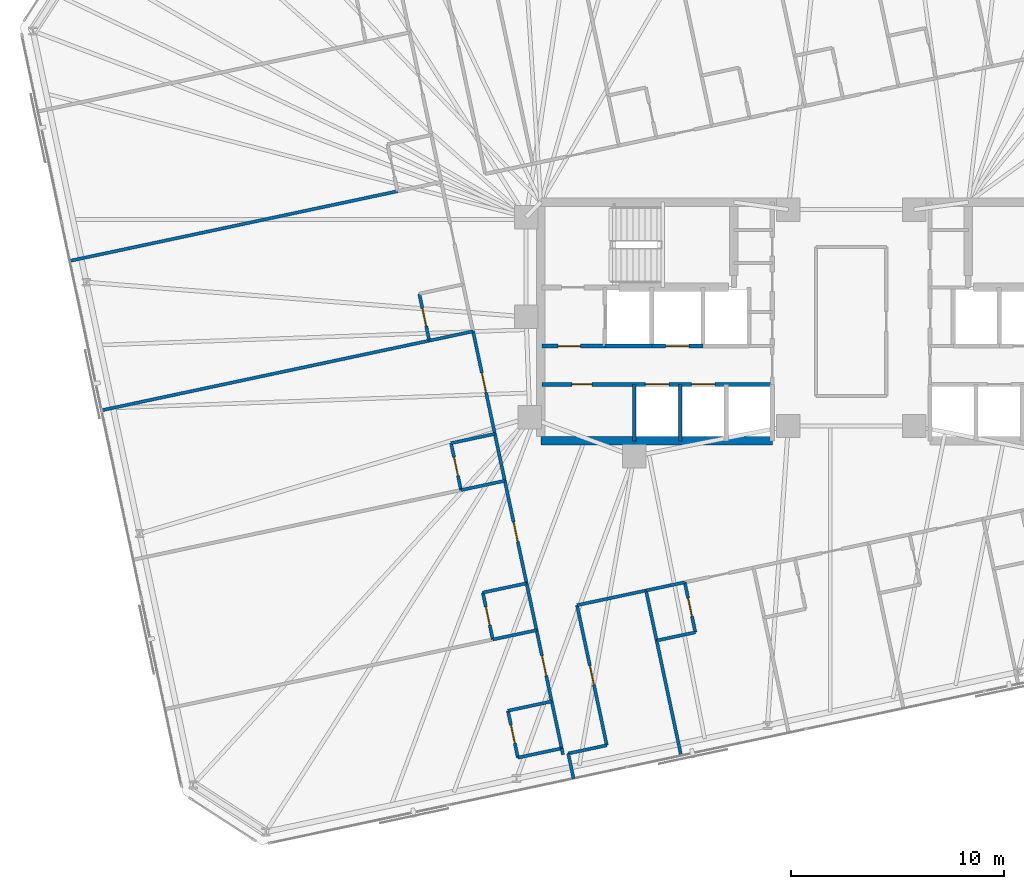
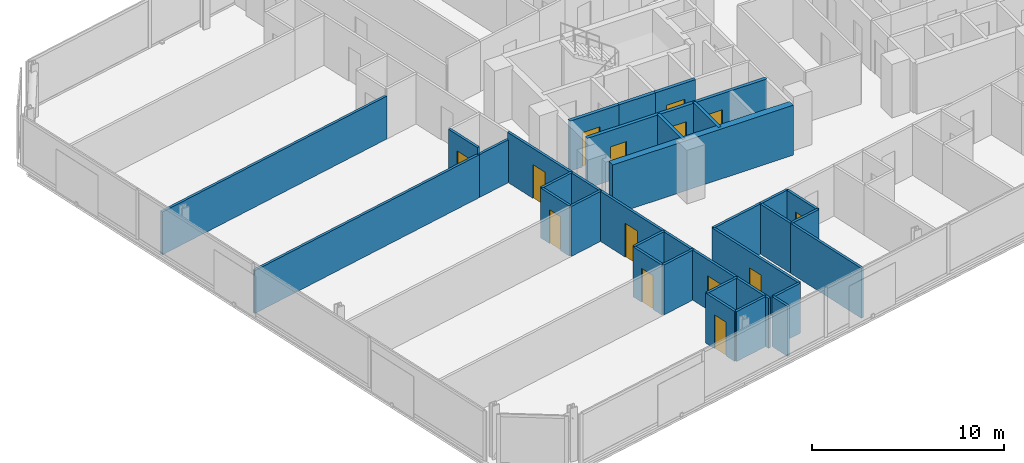
# One storey, part 14 of 21: 36 walls, 14 doors, 14 openings.
"""IFC4 building model written with IfcOpenShell, lengths in metres."""

from ifc_helpers import new_model, si_unit, direction, frame, frame_2d, origin, place, context, subcontext, project, spatial, rectangle, extrude, material, layer, layer_set, type_object, element, fill, save


model = new_model("IFC4")

# Units and contexts
model_context = context("Model", 3, precision=1e-05, world=origin(), true_north=direction((0.0, 1.0)))
body_context = subcontext(model_context, "Body", "Model", "MODEL_VIEW")
ifc_project = project(units=[si_unit("LENGTHUNIT", "METRE"), si_unit("AREAUNIT", "SQUARE_METRE"), si_unit("VOLUMEUNIT", "CUBIC_METRE"), si_unit("PLANEANGLEUNIT", "RADIAN"), si_unit("MASSUNIT", "GRAM", prefix="KILO")], contexts=[model_context])

# Site, building, storey
site_placement = place(None, origin())
site = spatial("IfcSite", under=ifc_project, at=site_placement, CompositionType="ELEMENT")
building_placement = place(site_placement, origin())
building = spatial("IfcBuilding", under=site, at=building_placement, Name="Menara Jurai Vektor", CompositionType="ELEMENT")
storey_placement = place(building_placement, frame((0.0, 0.0, 165.0)))
storey = spatial("IfcBuildingStorey", under=building, at=storey_placement, Name="L42", CompositionType="ELEMENT", Elevation=165.0)

# Wall, opening, door
ifc_material_1 = material(Name="Concrete C40/50", Category="concrete")
ifc_layer_1 = layer(ifc_material_1, 0.25)
ifc_layer_set_1 = layer_set([ifc_layer_1], Name="Concrete C40/50")
wall_type_1 = type_object("IfcWallType", Name="INT-WALL-CORE-250", PredefinedType="STANDARD", material=ifc_layer_set_1)
wall_1_placement = place(storey_placement, frame((-14.5, -1.14990234375, 0.0), z_axis=(0.0, 0.0, 1.0), x_axis=(1.0, 0.0, 0.0)))
wall_1 = element("IfcWall", 1, at=wall_1_placement, inside=storey, type_object=wall_type_1, Name="Interior Wall IW-250 L42", PredefinedType="STANDARD", context=body_context, shape_type="SweptSolid", body=[
    extrude(rectangle(XDim=2.949951171875, YDim=0.199951171875, at=frame_2d((1.47509765625, 0.0))), origin(), (0.0, 0.0, 1.0), 3.175048828125),
])
opening_1_placement = place(wall_1_placement, frame((0.75, 0.0, 0.0)))
opening_1 = element("IfcOpeningElement", 2, at=opening_1_placement, cuts=wall_1, Name="Opening D-L42-FFW", PredefinedType="OPENING", context=body_context, shape_type="SweptSolid", body=[
    extrude(rectangle(XDim=1.050048828125, YDim=2.179931640625, at=frame_2d((0.52490234375, 1.08984375))), frame((0.0, 0.10986328125, 0.0), z_axis=(0.0, -1.0, 0.0), x_axis=(1.0, 0.0, 0.0)), (0.0, 0.0, 1.0), 0.219970703125),
])
ifc_material_2 = material(Name="Fire-Rated Timber Door", Category="wood")
door_type_1 = type_object("IfcDoorType", Name="DR-LOBBY-1050", OperationType="NOTDEFINED", PredefinedType="DOOR", material=ifc_material_2)
door_1_placement = place(opening_1_placement, origin())
door_1 = element("IfcDoor", 3, at=door_1_placement, inside=storey, type_object=door_type_1, Name="Fire Lift Lobby Door W L42", OperationType="SINGLE_SWING_RIGHT", OverallHeight=2.179931640625, OverallWidth=1.050048828125, PredefinedType="DOOR", context=body_context, shape_type="SweptSolid", body=[
    extrude(rectangle(XDim=1.050048828125, YDim=2.179931640625, at=frame_2d((0.52490234375, 1.08984375))), frame((0.0, 0.02490234375, 0.0), z_axis=(0.0, -1.0, 0.0), x_axis=(1.0, 0.0, 0.0)), (0.0, 0.0, 1.0), 0.050048828125),
])
fill(opening_1, door_1)

# Walls
wall_2_placement = place(storey_placement, frame((-11.550048828125, -1.14990234375, 0.0), z_axis=(0.0, 0.0, 1.0), x_axis=(1.0, 0.0, 0.0)))
element("IfcWall", 4, at=wall_2_placement, inside=storey, type_object=wall_type_1, Name="Interior Wall IW-250 L42", PredefinedType="STANDARD", context=body_context, shape_type="SweptSolid", body=[
    extrude(rectangle(XDim=2.199951171875, YDim=0.199951171875, at=frame_2d((1.10009765625, 0.0))), origin(), (0.0, 0.0, 1.0), 3.175048828125),
])
ifc_material_3 = material(Name="Gypsum Fireboard Partition", Category="gypsum")
ifc_layer_2 = layer(ifc_material_3, 0.14990234375)
ifc_layer_set_2 = layer_set([ifc_layer_2], Name="Gypsum Fireboard Partition")
wall_type_2 = type_object("IfcWallType", Name="INT-WALL-CORR-150", PredefinedType="PARTITIONING", material=ifc_layer_set_2)
wall_3_placement = place(storey_placement, frame((-13.274169921875, -20.264892578125, 0.0), z_axis=(0.0, 0.0, 1.0), x_axis=(0.978160192495, 0.207852442415, 0.0)))
element("IfcWall", 5, at=wall_3_placement, inside=storey, type_object=wall_type_2, Name="Interior Wall IW-150 L42", PredefinedType="PARTITIONING", context=body_context, shape_type="SweptSolid", body=[
    extrude(rectangle(XDim=1.849853515625, YDim=0.14990234375, at=frame_2d((0.9248046875, 0.0))), origin(), (0.0, 0.0, 1.0), 3.175048828125),
])

# Wall, opening, door
wall_4_placement = place(storey_placement, frame((-11.464599609375, -19.88037109375, 0.0), z_axis=(0.0, 0.0, 1.0), x_axis=(-0.207916109912, 0.978146661416, 0.0)))
wall_4 = element("IfcWall", 6, at=wall_4_placement, inside=storey, type_object=wall_type_2, Name="Interior Wall IW-150 L42", PredefinedType="PARTITIONING", context=body_context, shape_type="SweptSolid", body=[
    extrude(rectangle(XDim=6.72021484375, YDim=0.14990234375, at=frame_2d((3.360107421875, 0.0))), origin(), (0.0, 0.0, 1.0), 3.175048828125),
])
opening_2_placement = place(wall_4_placement, frame((2.89990234375, 0.0, 0.0)))
opening_2 = element("IfcOpeningElement", 7, at=opening_2_placement, cuts=wall_4, Name="Opening D42-21", PredefinedType="OPENING", context=body_context, shape_type="SweptSolid", body=[
    extrude(rectangle(XDim=0.919921875, YDim=2.14990234375, at=frame_2d((0.4599609375, 1.074951171875))), frame((0.0, 0.0849609375, 0.0), z_axis=(0.0, -1.0, 0.0), x_axis=(1.0, 0.0, 0.0)), (0.0, 0.0, 1.0), 0.169921875),
])
ifc_material_4 = material(Name="Solid Core Timber Fire Door", Category="wood")
door_type_2 = type_object("IfcDoorType", Name="DR-ENTRY-950", OperationType="NOTDEFINED", PredefinedType="DOOR", material=ifc_material_4)
door_2_placement = place(opening_2_placement, origin())
door_2 = element("IfcDoor", 8, at=door_2_placement, inside=storey, type_object=door_type_2, Name="Interior Door D42-21", OperationType="SINGLE_SWING_RIGHT", OverallHeight=2.14990234375, OverallWidth=0.919921875, PredefinedType="DOOR", context=body_context, shape_type="SweptSolid", body=[
    extrude(rectangle(XDim=0.919921875, YDim=2.14990234375, at=frame_2d((0.4599609375, 1.074951171875))), frame((0.0, 0.02490234375, 0.0), z_axis=(0.0, -1.0, 0.0), x_axis=(1.0, 0.0, 0.0)), (0.0, 0.0, 1.0), 0.050048828125),
])
fill(opening_2, door_2)

# Walls
wall_5_placement = place(storey_placement, frame((-12.86181640625, -13.30712890625, 0.0), z_axis=(0.0, 0.0, 1.0), x_axis=(0.978148724447, 0.207906404095, 0.0)))
element("IfcWall", 9, at=wall_5_placement, inside=storey, type_object=wall_type_2, Name="Interior Wall IW-150 L42", PredefinedType="PARTITIONING", context=body_context, shape_type="SweptSolid", body=[
    extrude(rectangle(XDim=3.30908203125, YDim=0.14990234375, at=frame_2d((1.654541015625, 0.0))), origin(), (0.0, 0.0, 1.0), 3.175048828125),
])
wall_6_placement = place(storey_placement, frame((-9.625, -12.619140625, 0.0), z_axis=(0.0, 0.0, 1.0), x_axis=(0.978132112624, 0.207984543303, 0.0)))
element("IfcWall", 10, at=wall_6_placement, inside=storey, type_object=wall_type_2, Name="Interior Wall IW-150 L42", PredefinedType="PARTITIONING", context=body_context, shape_type="SweptSolid", body=[
    extrude(rectangle(XDim=1.85693359375, YDim=0.14990234375, at=frame_2d((0.928466796875, 0.0))), origin(), (0.0, 0.0, 1.0), 3.175048828125),
])
wall_7_placement = place(storey_placement, frame((-13.518798828125, -20.31689453125, 0.0), z_axis=(0.0, 0.0, 1.0), x_axis=(-0.207527808066, 0.978229118806, 0.0)))
element("IfcWall", 11, at=wall_7_placement, inside=storey, type_object=wall_type_2, Name="Interior Wall IW-150 L42", PredefinedType="PARTITIONING", context=body_context, shape_type="SweptSolid", body=[
    extrude(rectangle(XDim=0.300048828125, YDim=0.14990234375, at=frame_2d((0.14990234375, 0.0))), origin(), (0.0, 0.0, 1.0), 3.175048828125),
])

# Wall, opening, door
wall_8_placement = place(storey_placement, frame((-14.048828125, -17.822509765625, 0.0), z_axis=(0.0, 0.0, 1.0), x_axis=(-0.207918572776, 0.978146137903, 0.0)))
wall_8 = element("IfcWall", 12, at=wall_8_placement, inside=storey, type_object=wall_type_2, Name="Interior Wall IW-150 L42", PredefinedType="PARTITIONING", context=body_context, shape_type="SweptSolid", body=[
    extrude(rectangle(XDim=3.4169921875, YDim=0.14990234375, at=frame_2d((1.70849609375, 0.0))), origin(), (0.0, 0.0, 1.0), 3.175048828125),
])
opening_3_placement = place(wall_8_placement, frame((1.2333984375, 0.0, 0.0)))
opening_3 = element("IfcOpeningElement", 13, at=opening_3_placement, cuts=wall_8, Name="Opening D42-32", PredefinedType="OPENING", context=body_context, shape_type="SweptSolid", body=[
    extrude(rectangle(XDim=0.949951171875, YDim=2.14990234375, at=frame_2d((0.47509765625, 1.074951171875))), frame((0.0, 0.0849609375, 0.0), z_axis=(0.0, -1.0, 0.0), x_axis=(1.0, 0.0, 0.0)), (0.0, 0.0, 1.0), 0.169921875),
])
door_3_placement = place(opening_3_placement, origin())
door_3 = element("IfcDoor", 14, at=door_3_placement, inside=storey, type_object=door_type_2, Name="Interior Door D42-32", OperationType="SINGLE_SWING_LEFT", OverallHeight=2.14990234375, OverallWidth=0.949951171875, PredefinedType="DOOR", context=body_context, shape_type="SweptSolid", body=[
    extrude(rectangle(XDim=0.949951171875, YDim=2.14990234375, at=frame_2d((0.47509765625, 1.074951171875))), frame((0.0, 0.02490234375, 0.0), z_axis=(0.0, -1.0, 0.0), x_axis=(1.0, 0.0, 0.0)), (0.0, 0.0, 1.0), 0.050048828125),
])
fill(opening_3, door_3)

# Wall
wall_9_placement = place(storey_placement, frame((-13.5810546875, -20.0234375, 0.0), z_axis=(0.0, 0.0, 1.0), x_axis=(-0.207891197838, 0.978151956427, 0.0)))
element("IfcWall", 15, at=wall_9_placement, inside=storey, type_object=wall_type_2, Name="Interior Wall IW-150 L42", PredefinedType="PARTITIONING", context=body_context, shape_type="SweptSolid", body=[
    extrude(rectangle(XDim=2.25, YDim=0.14990234375, at=frame_2d((1.125, 0.0))), origin(), (0.0, 0.0, 1.0), 3.175048828125),
])

# Wall, opening, door
wall_10_placement = place(storey_placement, frame((-15.22705078125, -12.279296875, 0.0), z_axis=(0.0, 0.0, 1.0), x_axis=(-0.20794488256, 0.978140545023, 0.0)))
wall_10 = element("IfcWall", 16, at=wall_10_placement, inside=storey, type_object=wall_type_2, Name="Interior Wall IW-150 L42", PredefinedType="PARTITIONING", context=body_context, shape_type="SweptSolid", body=[
    extrude(rectangle(XDim=4.915771484375, YDim=0.14990234375, at=frame_2d((2.4580078125, 0.0))), origin(), (0.0, 0.0, 1.0), 3.175048828125),
])
opening_4_placement = place(wall_10_placement, frame((1.98291015625, 0.0, 0.0)))
opening_4 = element("IfcOpeningElement", 17, at=opening_4_placement, cuts=wall_10, Name="Opening D42-34", PredefinedType="OPENING", context=body_context, shape_type="SweptSolid", body=[
    extrude(rectangle(XDim=0.949951171875, YDim=2.14990234375, at=frame_2d((0.47509765625, 1.074951171875))), frame((0.0, 0.0849609375, 0.0), z_axis=(0.0, -1.0, 0.0), x_axis=(1.0, 0.0, 0.0)), (0.0, 0.0, 1.0), 0.169921875),
])
door_4_placement = place(opening_4_placement, origin())
door_4 = element("IfcDoor", 18, at=door_4_placement, inside=storey, type_object=door_type_2, Name="Interior Door D42-34", OperationType="SINGLE_SWING_LEFT", OverallHeight=2.14990234375, OverallWidth=0.949951171875, PredefinedType="DOOR", context=body_context, shape_type="SweptSolid", body=[
    extrude(rectangle(XDim=0.949951171875, YDim=2.14990234375, at=frame_2d((0.47509765625, 1.074951171875))), frame((0.0, 0.02490234375, 0.0), z_axis=(0.0, -1.0, 0.0), x_axis=(1.0, 0.0, 0.0)), (0.0, 0.0, 1.0), 0.050048828125),
])
fill(opening_4, door_4)

# Wall
wall_11_placement = place(storey_placement, frame((-14.75927734375, -14.480224609375, 0.0), z_axis=(0.0, 0.0, 1.0), x_axis=(-0.207891197838, 0.978151956427, 0.0)))
element("IfcWall", 19, at=wall_11_placement, inside=storey, type_object=wall_type_2, Name="Interior Wall IW-150 L42", PredefinedType="PARTITIONING", context=body_context, shape_type="SweptSolid", body=[
    extrude(rectangle(XDim=2.25, YDim=0.14990234375, at=frame_2d((1.125, 0.0))), origin(), (0.0, 0.0, 1.0), 3.175048828125),
])

# Wall, opening, door
wall_12_placement = place(storey_placement, frame((-16.717041015625, -5.27001953125, 0.0), z_axis=(0.0, 0.0, 1.0), x_axis=(-0.207894386012, 0.978151278824, 0.0)))
wall_12 = element("IfcWall", 20, at=wall_12_placement, inside=storey, type_object=wall_type_2, Name="Interior Wall IW-150 L42", PredefinedType="PARTITIONING", context=body_context, shape_type="SweptSolid", body=[
    extrude(rectangle(XDim=4.9169921875, YDim=0.14990234375, at=frame_2d((2.45849609375, 0.0))), origin(), (0.0, 0.0, 1.0), 3.175048828125),
])
opening_5_placement = place(wall_12_placement, frame((1.9833984375, 0.0, 0.0)))
opening_5 = element("IfcOpeningElement", 21, at=opening_5_placement, cuts=wall_12, Name="Opening D42-36", PredefinedType="OPENING", context=body_context, shape_type="SweptSolid", body=[
    extrude(rectangle(XDim=0.949951171875, YDim=2.14990234375, at=frame_2d((0.47509765625, 1.074951171875))), frame((0.0, 0.0849609375, 0.0), z_axis=(0.0, -1.0, 0.0), x_axis=(1.0, 0.0, 0.0)), (0.0, 0.0, 1.0), 0.169921875),
])
door_5_placement = place(opening_5_placement, origin())
door_5 = element("IfcDoor", 22, at=door_5_placement, inside=storey, type_object=door_type_2, Name="Interior Door D42-36", OperationType="SINGLE_SWING_LEFT", OverallHeight=2.14990234375, OverallWidth=0.949951171875, PredefinedType="DOOR", context=body_context, shape_type="SweptSolid", body=[
    extrude(rectangle(XDim=0.949951171875, YDim=2.14990234375, at=frame_2d((0.47509765625, 1.074951171875))), frame((0.0, 0.02490234375, 0.0), z_axis=(0.0, -1.0, 0.0), x_axis=(1.0, 0.0, 0.0)), (0.0, 0.0, 1.0), 0.050048828125),
])
fill(opening_5, door_5)

# Walls
wall_13_placement = place(storey_placement, frame((-16.249267578125, -7.470947265625, 0.0), z_axis=(0.0, 0.0, 1.0), x_axis=(-0.207891197838, 0.978151956427, 0.0)))
element("IfcWall", 23, at=wall_13_placement, inside=storey, type_object=wall_type_2, Name="Interior Wall IW-150 L42", PredefinedType="PARTITIONING", context=body_context, shape_type="SweptSolid", body=[
    extrude(rectangle(XDim=2.25, YDim=0.14990234375, at=frame_2d((1.125, 0.0))), origin(), (0.0, 0.0, 1.0), 3.175048828125),
])
wall_14_placement = place(storey_placement, frame((-7.978515625, -20.3662109375, 0.0), z_axis=(0.0, 0.0, 1.0), x_axis=(-0.20791588359, 0.978146709523, 0.0)))
element("IfcWall", 24, at=wall_14_placement, inside=storey, type_object=wall_type_2, Name="Interior Wall IW-150 L42", PredefinedType="PARTITIONING", context=body_context, shape_type="SweptSolid", body=[
    extrude(rectangle(XDim=5.52001953125, YDim=0.14990234375, at=frame_2d((2.760009765625, 0.0))), origin(), (0.0, 0.0, 1.0), 3.175048828125),
])
wall_15_placement = place(storey_placement, frame((-9.126220703125, -14.966796875, 0.0), z_axis=(0.0, 0.0, 1.0), x_axis=(-0.207819824493, 0.978167123015, 0.0)))
element("IfcWall", 25, at=wall_15_placement, inside=storey, type_object=wall_type_2, Name="Interior Wall IW-150 L42", PredefinedType="PARTITIONING", context=body_context, shape_type="SweptSolid", body=[
    extrude(rectangle(XDim=2.400146484375, YDim=0.14990234375, at=frame_2d((1.2001953125, 0.0))), origin(), (0.0, 0.0, 1.0), 3.175048828125),
])
wall_16_placement = place(storey_placement, frame((-13.024658203125, -21.438720703125, 0.0), z_axis=(0.0, 0.0, 1.0), x_axis=(-0.207917150959, 0.978146440129, 0.0)))
element("IfcWall", 26, at=wall_16_placement, inside=storey, type_object=wall_type_2, Name="Interior Wall IW-150 L42", PredefinedType="PARTITIONING", context=body_context, shape_type="SweptSolid", body=[
    extrude(rectangle(XDim=1.199951171875, YDim=0.14990234375, at=frame_2d((0.60009765625, 0.0))), origin(), (0.0, 0.0, 1.0), 3.175048828125),
])
wall_17_placement = place(storey_placement, frame((-9.126220703125, -14.966796875, 0.0), z_axis=(0.0, 0.0, 1.0), x_axis=(0.978132112624, 0.207984543303, 0.0)))
element("IfcWall", 27, at=wall_17_placement, inside=storey, type_object=wall_type_2, Name="Interior Wall IW-150 L42", PredefinedType="PARTITIONING", context=body_context, shape_type="SweptSolid", body=[
    extrude(rectangle(XDim=1.85693359375, YDim=0.14990234375, at=frame_2d((0.928466796875, 0.0))), origin(), (0.0, 0.0, 1.0), 3.175048828125),
])

# Wall, opening, door
wall_18_placement = place(storey_placement, frame((-7.309814453125, -14.58056640625, 0.0), z_axis=(0.0, 0.0, 1.0), x_axis=(-0.207819824493, 0.978167123015, 0.0)))
wall_18 = element("IfcWall", 28, at=wall_18_placement, inside=storey, type_object=wall_type_2, Name="Interior Wall IW-150 L42", PredefinedType="PARTITIONING", context=body_context, shape_type="SweptSolid", body=[
    extrude(rectangle(XDim=2.400146484375, YDim=0.14990234375, at=frame_2d((1.2001953125, 0.0))), origin(), (0.0, 0.0, 1.0), 3.175048828125),
])
opening_6_placement = place(wall_18_placement, frame((0.760009765625, 0.0, 0.0)))
opening_6 = element("IfcOpeningElement", 29, at=opening_6_placement, cuts=wall_18, Name="Opening D42-23", PredefinedType="OPENING", context=body_context, shape_type="SweptSolid", body=[
    extrude(rectangle(XDim=0.8798828125, YDim=2.14990234375, at=frame_2d((0.43994140625, 1.074951171875))), frame((0.0, 0.0849609375, 0.0), z_axis=(0.0, -1.0, 0.0), x_axis=(1.0, 0.0, 0.0)), (0.0, 0.0, 1.0), 0.169921875),
])
ifc_material_5 = material(Name="Moisture-Resistant Timber Door", Category="wood")
door_type_3 = type_object("IfcDoorType", Name="DR-BATH-880", OperationType="NOTDEFINED", PredefinedType="DOOR", material=ifc_material_5)
door_6_placement = place(opening_6_placement, origin())
door_6 = element("IfcDoor", 30, at=door_6_placement, inside=storey, type_object=door_type_3, Name="Interior Door D42-23", OperationType="SINGLE_SWING_RIGHT", OverallHeight=2.14990234375, OverallWidth=0.8798828125, PredefinedType="DOOR", context=body_context, shape_type="SweptSolid", body=[
    extrude(rectangle(XDim=0.8798828125, YDim=2.14990234375, at=frame_2d((0.43994140625, 1.074951171875))), frame((0.0, 0.02490234375, 0.0), z_axis=(0.0, -1.0, 0.0), x_axis=(1.0, 0.0, 0.0)), (0.0, 0.0, 1.0), 0.050048828125),
])
fill(opening_6, door_6)

wall_19_placement = place(storey_placement, frame((-15.63525390625, -20.4599609375, 0.0), z_axis=(0.0, 0.0, 1.0), x_axis=(-0.207913264065, 0.978147266328, 0.0)))
wall_19 = element("IfcWall", 31, at=wall_19_placement, inside=storey, type_object=wall_type_2, Name="Interior Wall IW-150 L42", PredefinedType="PARTITIONING", context=body_context, shape_type="SweptSolid", body=[
    extrude(rectangle(XDim=2.249755859375, YDim=0.14990234375, at=frame_2d((1.125, 0.0))), origin(), (0.0, 0.0, 1.0), 3.175048828125),
])
opening_7_placement = place(wall_19_placement, frame((0.68505859375, 0.0, 0.0)))
opening_7 = element("IfcOpeningElement", 32, at=opening_7_placement, cuts=wall_19, Name="Opening D42-33", PredefinedType="OPENING", context=body_context, shape_type="SweptSolid", body=[
    extrude(rectangle(XDim=0.8798828125, YDim=2.14990234375, at=frame_2d((0.43994140625, 1.074951171875))), frame((0.0, 0.0849609375, 0.0), z_axis=(0.0, -1.0, 0.0), x_axis=(1.0, 0.0, 0.0)), (0.0, 0.0, 1.0), 0.169921875),
])
door_7_placement = place(opening_7_placement, origin())
door_7 = element("IfcDoor", 33, at=door_7_placement, inside=storey, type_object=door_type_3, Name="Interior Door D42-33", OperationType="SINGLE_SWING_RIGHT", OverallHeight=2.14990234375, OverallWidth=0.8798828125, PredefinedType="DOOR", context=body_context, shape_type="SweptSolid", body=[
    extrude(rectangle(XDim=0.8798828125, YDim=2.14990234375, at=frame_2d((0.43994140625, 1.074951171875))), frame((0.0, 0.02490234375, 0.0), z_axis=(0.0, -1.0, 0.0), x_axis=(1.0, 0.0, 0.0)), (0.0, 0.0, 1.0), 0.050048828125),
])
fill(opening_7, door_7)

# Walls
for number, where, z_axis, x_axis, name in (
    (34, (-15.63525390625, -20.4599609375, 0.0), (0.0, 0.0, 1.0), (0.97815826, 0.207861536591, 0.0), "Interior Wall IW-150 L42"),
    (35, (-16.10302734375, -18.25927734375, 0.0), (0.0, 0.0, 1.0), (0.978134617382, 0.207972763311, 0.0), "Interior Wall IW-150 L42"),
    (36, (-16.8134765625, -14.9169921875, 0.0), (0.0, 0.0, 1.0), (0.978134617382, 0.207972763311, 0.0), "Interior Wall IW-150 L42"),
):
    element("IfcWall", number, at=place(storey_placement, frame(where, z_axis=z_axis, x_axis=x_axis)), inside=storey, type_object=wall_type_2, Name=name, PredefinedType="PARTITIONING", context=body_context, shape_type="SweptSolid", body=[
        extrude(rectangle(XDim=2.10009765625, YDim=0.14990234375, at=frame_2d((1.050048828125, 0.0))), origin(), (0.0, 0.0, 1.0), 3.175048828125),
    ])

# Wall, opening, door
wall_20_placement = place(storey_placement, frame((-16.8134765625, -14.9169921875, 0.0), z_axis=(0.0, 0.0, 1.0), x_axis=(-0.207891197838, 0.978151956427, 0.0)))
wall_20 = element("IfcWall", 37, at=wall_20_placement, inside=storey, type_object=wall_type_2, Name="Interior Wall IW-150 L42", PredefinedType="PARTITIONING", context=body_context, shape_type="SweptSolid", body=[
    extrude(rectangle(XDim=2.25, YDim=0.14990234375, at=frame_2d((1.125, 0.0))), origin(), (0.0, 0.0, 1.0), 3.175048828125),
])
opening_8_placement = place(wall_20_placement, frame((0.68505859375, 0.0, 0.0)))
opening_8 = element("IfcOpeningElement", 38, at=opening_8_placement, cuts=wall_20, Name="Opening D42-35", PredefinedType="OPENING", context=body_context, shape_type="SweptSolid", body=[
    extrude(rectangle(XDim=0.8798828125, YDim=2.14990234375, at=frame_2d((0.43994140625, 1.074951171875))), frame((0.0, 0.0849609375, 0.0), z_axis=(0.0, -1.0, 0.0), x_axis=(1.0, 0.0, 0.0)), (0.0, 0.0, 1.0), 0.169921875),
])
door_8_placement = place(opening_8_placement, origin())
door_8 = element("IfcDoor", 39, at=door_8_placement, inside=storey, type_object=door_type_3, Name="Interior Door D42-35", OperationType="SINGLE_SWING_RIGHT", OverallHeight=2.14990234375, OverallWidth=0.8798828125, PredefinedType="DOOR", context=body_context, shape_type="SweptSolid", body=[
    extrude(rectangle(XDim=0.8798828125, YDim=2.14990234375, at=frame_2d((0.43994140625, 1.074951171875))), frame((0.0, 0.02490234375, 0.0), z_axis=(0.0, -1.0, 0.0), x_axis=(1.0, 0.0, 0.0)), (0.0, 0.0, 1.0), 0.050048828125),
])
fill(opening_8, door_8)

# Walls
wall_21_placement = place(storey_placement, frame((-17.28125, -12.716064453125, 0.0), z_axis=(0.0, 0.0, 1.0), x_axis=(0.978134617382, 0.207972763311, 0.0)))
element("IfcWall", 40, at=wall_21_placement, inside=storey, type_object=wall_type_2, Name="Interior Wall IW-150 L42", PredefinedType="PARTITIONING", context=body_context, shape_type="SweptSolid", body=[
    extrude(rectangle(XDim=2.10009765625, YDim=0.14990234375, at=frame_2d((1.050048828125, 0.0))), origin(), (0.0, 0.0, 1.0), 3.175048828125),
])
wall_22_placement = place(storey_placement, frame((-18.30322265625, -7.907470703125, 0.0), z_axis=(0.0, 0.0, 1.0), x_axis=(0.978153236239, 0.207885176084, 0.0)))
element("IfcWall", 41, at=wall_22_placement, inside=storey, type_object=wall_type_2, Name="Interior Wall IW-150 L42", PredefinedType="PARTITIONING", context=body_context, shape_type="SweptSolid", body=[
    extrude(rectangle(XDim=2.099853515625, YDim=0.14990234375, at=frame_2d((1.0498046875, 0.0))), origin(), (0.0, 0.0, 1.0), 3.175048828125),
])

# Wall, opening, door
wall_23_placement = place(storey_placement, frame((-18.30322265625, -7.907470703125, 0.0), z_axis=(0.0, 0.0, 1.0), x_axis=(-0.207891197838, 0.978151956427, 0.0)))
wall_23 = element("IfcWall", 42, at=wall_23_placement, inside=storey, type_object=wall_type_2, Name="Interior Wall IW-150 L42", PredefinedType="PARTITIONING", context=body_context, shape_type="SweptSolid", body=[
    extrude(rectangle(XDim=2.25, YDim=0.14990234375, at=frame_2d((1.125, 0.0))), origin(), (0.0, 0.0, 1.0), 3.175048828125),
])
opening_9_placement = place(wall_23_placement, frame((0.68505859375, 0.0, 0.0)))
opening_9 = element("IfcOpeningElement", 43, at=opening_9_placement, cuts=wall_23, Name="Opening D42-37", PredefinedType="OPENING", context=body_context, shape_type="SweptSolid", body=[
    extrude(rectangle(XDim=0.8798828125, YDim=2.14990234375, at=frame_2d((0.43994140625, 1.074951171875))), frame((0.0, 0.0849609375, 0.0), z_axis=(0.0, -1.0, 0.0), x_axis=(1.0, 0.0, 0.0)), (0.0, 0.0, 1.0), 0.169921875),
])
door_9_placement = place(opening_9_placement, origin())
door_9 = element("IfcDoor", 44, at=door_9_placement, inside=storey, type_object=door_type_3, Name="Interior Door D42-37", OperationType="SINGLE_SWING_RIGHT", OverallHeight=2.14990234375, OverallWidth=0.8798828125, PredefinedType="DOOR", context=body_context, shape_type="SweptSolid", body=[
    extrude(rectangle(XDim=0.8798828125, YDim=2.14990234375, at=frame_2d((0.43994140625, 1.074951171875))), frame((0.0, 0.02490234375, 0.0), z_axis=(0.0, -1.0, 0.0), x_axis=(1.0, 0.0, 0.0)), (0.0, 0.0, 1.0), 0.050048828125),
])
fill(opening_9, door_9)

# Wall
wall_24_placement = place(storey_placement, frame((-18.77099609375, -5.70654296875, 0.0), z_axis=(0.0, 0.0, 1.0), x_axis=(0.978153236239, 0.207885176084, 0.0)))
element("IfcWall", 45, at=wall_24_placement, inside=storey, type_object=wall_type_2, Name="Interior Wall IW-150 L42", PredefinedType="PARTITIONING", context=body_context, shape_type="SweptSolid", body=[
    extrude(rectangle(XDim=2.099853515625, YDim=0.14990234375, at=frame_2d((1.0498046875, 0.0))), origin(), (0.0, 0.0, 1.0), 3.175048828125),
])

# Wall, opening, door
wall_25_placement = place(storey_placement, frame((-19.79345703125, -0.897216796875, 0.0), z_axis=(0.0, 0.0, 1.0), x_axis=(-0.207891197838, 0.978151956427, 0.0)))
wall_25 = element("IfcWall", 46, at=wall_25_placement, inside=storey, type_object=wall_type_2, Name="Interior Wall IW-150 L42", PredefinedType="PARTITIONING", context=body_context, shape_type="SweptSolid", body=[
    extrude(rectangle(XDim=2.25, YDim=0.14990234375, at=frame_2d((1.125, 0.0))), origin(), (0.0, 0.0, 1.0), 3.175048828125),
])
opening_10_placement = place(wall_25_placement, frame((0.68505859375, 0.0, 0.0)))
opening_10 = element("IfcOpeningElement", 47, at=opening_10_placement, cuts=wall_25, Name="Opening D42-39", PredefinedType="OPENING", context=body_context, shape_type="SweptSolid", body=[
    extrude(rectangle(XDim=0.8798828125, YDim=2.14990234375, at=frame_2d((0.43994140625, 1.074951171875))), frame((0.0, 0.0849609375, 0.0), z_axis=(0.0, -1.0, 0.0), x_axis=(1.0, 0.0, 0.0)), (0.0, 0.0, 1.0), 0.169921875),
])
door_10_placement = place(opening_10_placement, origin())
door_10 = element("IfcDoor", 48, at=door_10_placement, inside=storey, type_object=door_type_3, Name="Interior Door D42-39", OperationType="SINGLE_SWING_RIGHT", OverallHeight=2.14990234375, OverallWidth=0.8798828125, PredefinedType="DOOR", context=body_context, shape_type="SweptSolid", body=[
    extrude(rectangle(XDim=0.8798828125, YDim=2.14990234375, at=frame_2d((0.43994140625, 1.074951171875))), frame((0.0, 0.02490234375, 0.0), z_axis=(0.0, -1.0, 0.0), x_axis=(1.0, 0.0, 0.0)), (0.0, 0.0, 1.0), 0.050048828125),
])
fill(opening_10, door_10)

# Walls
ifc_layer_3 = layer(ifc_material_3, 0.14990234375)
ifc_layer_set_3 = layer_set([ifc_layer_3], Name="Gypsum Fireboard Partition")
wall_type_3 = type_object("IfcWallType", Name="INT-WALL-CORR-150-H1", PredefinedType="PARTITIONING", material=ifc_layer_set_3)
wall_26_placement = place(storey_placement, frame((-35.16796875, -4.1650390625, 0.0), z_axis=(0.0, 0.0, 1.0), x_axis=(0.978149296727, 0.207903711638, 0.0)))
element("IfcWall", 49, at=wall_26_placement, inside=storey, type_object=wall_type_3, Name="Interior Wall IW-150 L42", PredefinedType="PARTITIONING", context=body_context, shape_type="SweptSolid", body=[
    extrude(rectangle(XDim=15.718017578125, YDim=0.14990234375, at=frame_2d((7.85888671875, 0.0))), origin(), (0.0, 0.0, 1.0), 2.72509765625),
])
wall_27_placement = place(storey_placement, frame((-19.79345703125, -0.897216796875, 0.0), z_axis=(0.0, 0.0, 1.0), x_axis=(0.978134617382, 0.207972763311, 0.0)))
element("IfcWall", 50, at=wall_27_placement, inside=storey, type_object=wall_type_3, Name="Interior Wall IW-150 L42", PredefinedType="PARTITIONING", context=body_context, shape_type="SweptSolid", body=[
    extrude(rectangle(XDim=2.10009765625, YDim=0.14990234375, at=frame_2d((1.050048828125, 0.0))), origin(), (0.0, 0.0, 1.0), 2.72509765625),
])
wall_28_placement = place(storey_placement, frame((-36.657958984375, 2.84521484375, 0.0), z_axis=(0.0, 0.0, 1.0), x_axis=(0.978146137903, 0.207918572776, 0.0)))
element("IfcWall", 51, at=wall_28_placement, inside=storey, type_object=wall_type_3, Name="Interior Wall IW-150 L42", PredefinedType="PARTITIONING", context=body_context, shape_type="SweptSolid", body=[
    extrude(rectangle(XDim=15.718017578125, YDim=0.14990234375, at=frame_2d((7.85888671875, 0.0))), origin(), (0.0, 0.0, 1.0), 2.72509765625),
])

# Wall, opening, door
ifc_layer_4 = layer(ifc_material_1, 0.199951171875)
ifc_layer_set_4 = layer_set([ifc_layer_4], Name="Concrete C40/50")
wall_type_4 = type_object("IfcWallType", Name="INT-WALL-SHAFT-200", PredefinedType="STANDARD", material=ifc_layer_set_4)
wall_29_placement = place(storey_placement, frame((-9.35009765625, -1.14990234375, 0.0), z_axis=(0.0, 0.0, 1.0), x_axis=(1.0, 0.0, 0.0)))
wall_29 = element("IfcWall", 52, at=wall_29_placement, inside=storey, type_object=wall_type_4, Name="Interior Wall IW-200 L42", PredefinedType="STANDARD", context=body_context, shape_type="SweptSolid", body=[
    extrude(rectangle(XDim=2.400146484375, YDim=0.199951171875, at=frame_2d((1.2001953125, 0.0))), origin(), (0.0, 0.0, 1.0), 3.175048828125),
])
opening_11_placement = place(wall_29_placement, frame((0.64990234375, 0.0, 0.0)))
opening_11 = element("IfcOpeningElement", 53, at=opening_11_placement, cuts=wall_29, Name="Opening LD-L42-SVL1", PredefinedType="OPENING", context=body_context, shape_type="SweptSolid", body=[
    extrude(rectangle(XDim=1.10009765625, YDim=2.14990234375, at=frame_2d((0.550048828125, 1.074951171875))), frame((0.0, 0.10986328125, 0.0), z_axis=(0.0, -1.0, 0.0), x_axis=(1.0, 0.0, 0.0)), (0.0, 0.0, 1.0), 0.219970703125),
])
ifc_material_6 = material(Name="Anodised Stainless Sliding Lift Landing Door", Category="steel")
door_type_4 = type_object("IfcDoorType", Name="DR-LIFT-PASS-1100", OperationType="NOTDEFINED", PredefinedType="DOOR", material=ifc_material_6)
door_11_placement = place(opening_11_placement, origin())
door_11 = element("IfcDoor", 54, at=door_11_placement, inside=storey, type_object=door_type_4, Name="Lift Landing Door SVL1 L42", OperationType="SLIDING_TO_RIGHT", OverallHeight=2.14990234375, OverallWidth=1.10009765625, PredefinedType="DOOR", context=body_context, shape_type="SweptSolid", body=[
    extrude(rectangle(XDim=1.10009765625, YDim=2.14990234375, at=frame_2d((0.550048828125, 1.074951171875))), frame((0.0, 0.02490234375, 0.0), z_axis=(0.0, -1.0, 0.0), x_axis=(1.0, 0.0, 0.0)), (0.0, 0.0, 1.0), 0.050048828125),
])
fill(opening_11, door_11)

# Wall, openings, doors
wall_30_placement = place(storey_placement, frame((-14.5, -2.949951171875, 0.0), z_axis=(0.0, 0.0, 1.0), x_axis=(1.0, 0.0, 0.0)))
wall_30 = element("IfcWall", 55, at=wall_30_placement, inside=storey, type_object=wall_type_4, Name="Interior Wall IW-200 L42", PredefinedType="STANDARD", context=body_context, shape_type="SweptSolid", body=[
    extrude(rectangle(XDim=10.800048828125, YDim=0.199951171875, at=frame_2d((5.39990234375, 0.0))), origin(), (0.0, 0.0, 1.0), 3.175048828125),
])
opening_12_placement = place(wall_30_placement, frame((4.85009765625, 0.0, 0.0)))
opening_12 = element("IfcOpeningElement", 56, at=opening_12_placement, cuts=wall_30, Name="Opening LD-L42-PM1", PredefinedType="OPENING", context=body_context, shape_type="SweptSolid", body=[
    extrude(rectangle(XDim=1.10009765625, YDim=2.14990234375, at=frame_2d((0.550048828125, 1.074951171875))), frame((0.0, 0.10986328125, 0.0), z_axis=(0.0, -1.0, 0.0), x_axis=(1.0, 0.0, 0.0)), (0.0, 0.0, 1.0), 0.219970703125),
])
opening_13_placement = place(wall_30_placement, frame((7.010009765625, 0.0, 0.0)))
opening_13 = element("IfcOpeningElement", 57, at=opening_13_placement, cuts=wall_30, Name="Opening LD-L42-PM2", PredefinedType="OPENING", context=body_context, shape_type="SweptSolid", body=[
    extrude(rectangle(XDim=1.10009765625, YDim=2.14990234375, at=frame_2d((0.550048828125, 1.074951171875))), frame((0.0, 0.10986328125, 0.0), z_axis=(0.0, -1.0, 0.0), x_axis=(1.0, 0.0, 0.0)), (0.0, 0.0, 1.0), 0.219970703125),
])
opening_14_placement = place(wall_30_placement, frame((1.39990234375, 0.0, 0.0)))
opening_14 = element("IfcOpeningElement", 58, at=opening_14_placement, cuts=wall_30, Name="Opening D42-01", PredefinedType="OPENING", context=body_context, shape_type="SweptSolid", body=[
    extrude(rectangle(XDim=0.949951171875, YDim=2.14990234375, at=frame_2d((0.47509765625, 1.074951171875))), frame((0.0, 0.10986328125, 0.0), z_axis=(0.0, -1.0, 0.0), x_axis=(1.0, 0.0, 0.0)), (0.0, 0.0, 1.0), 0.219970703125),
])
door_12_placement = place(opening_14_placement, origin())
door_12 = element("IfcDoor", 59, at=door_12_placement, inside=storey, type_object=door_type_2, Name="Interior Door D42-01", OperationType="SINGLE_SWING_LEFT", OverallHeight=2.14990234375, OverallWidth=0.949951171875, PredefinedType="DOOR", context=body_context, shape_type="SweptSolid", body=[
    extrude(rectangle(XDim=0.949951171875, YDim=2.14990234375, at=frame_2d((0.47509765625, 1.074951171875))), frame((0.0, 0.02490234375, 0.0), z_axis=(0.0, -1.0, 0.0), x_axis=(1.0, 0.0, 0.0)), (0.0, 0.0, 1.0), 0.050048828125),
])
fill(opening_14, door_12)
door_13_placement = place(opening_12_placement, origin())
door_13 = element("IfcDoor", 60, at=door_13_placement, inside=storey, type_object=door_type_4, Name="Lift Landing Door PM1 L42", OperationType="SLIDING_TO_LEFT", OverallHeight=2.14990234375, OverallWidth=1.10009765625, PredefinedType="DOOR", context=body_context, shape_type="SweptSolid", body=[
    extrude(rectangle(XDim=1.10009765625, YDim=2.14990234375, at=frame_2d((0.550048828125, 1.074951171875))), frame((0.0, 0.02490234375, 0.0), z_axis=(0.0, -1.0, 0.0), x_axis=(1.0, 0.0, 0.0)), (0.0, 0.0, 1.0), 0.050048828125),
])
fill(opening_12, door_13)
door_14_placement = place(opening_13_placement, origin())
door_14 = element("IfcDoor", 61, at=door_14_placement, inside=storey, type_object=door_type_4, Name="Lift Landing Door PM2 L42", OperationType="SLIDING_TO_LEFT", OverallHeight=2.14990234375, OverallWidth=1.10009765625, PredefinedType="DOOR", context=body_context, shape_type="SweptSolid", body=[
    extrude(rectangle(XDim=1.10009765625, YDim=2.14990234375, at=frame_2d((0.550048828125, 1.074951171875))), frame((0.0, 0.02490234375, 0.0), z_axis=(0.0, -1.0, 0.0), x_axis=(1.0, 0.0, 0.0)), (0.0, 0.0, 1.0), 0.050048828125),
])
fill(opening_13, door_14)

# Walls
for number, where, z_axis, x_axis, name in (
    (62, (-10.179931640625, -5.60009765625, 0.0), (0.0, 0.0, 1.0), (0.0, 1.0, 0.0), "Interior Wall IW-200 L42"),
    (63, (-8.02001953125, -5.60009765625, 0.0), (0.0, 0.0, 1.0), (0.0, 1.0, 0.0), "Interior Wall IW-200 L42"),
):
    element("IfcWall", number, at=place(storey_placement, frame(where, z_axis=z_axis, x_axis=x_axis)), inside=storey, type_object=wall_type_4, Name=name, PredefinedType="STANDARD", context=body_context, shape_type="SweptSolid", body=[
        extrude(rectangle(XDim=2.650146484375, YDim=0.179931640625, at=frame_2d((1.3251953125, 0.0))), origin(), (0.0, 0.0, 1.0), 3.175048828125),
    ])
ifc_material_7 = material(Name="Concrete C50/60", Category="concrete")
ifc_layer_5 = layer(ifc_material_7, 0.39990234375)
ifc_layer_set_5 = layer_set([ifc_layer_5], Name="Concrete C50/60")
wall_type_5 = type_object("IfcWallType", Name="STR-WALL-CORE400", PredefinedType="SHEAR", material=ifc_layer_set_5)
wall_31_placement = place(storey_placement, frame((-14.56005859375, -5.60009765625, 0.0), z_axis=(0.0, 0.0, 1.0), x_axis=(1.0, 0.0, 0.0)))
element("IfcWall", 64, at=wall_31_placement, inside=storey, type_object=wall_type_5, Name="Core Shear Wall CW-W-S L42", PredefinedType="SHEAR", context=body_context, shape_type="SweptSolid", body=[
    extrude(rectangle(XDim=10.860107421875, YDim=0.39990234375, at=frame_2d((5.43017578125, 0.0))), origin(), (0.0, 0.0, 1.0), 3.175048828125),
])

save(model, "model.ifc")
